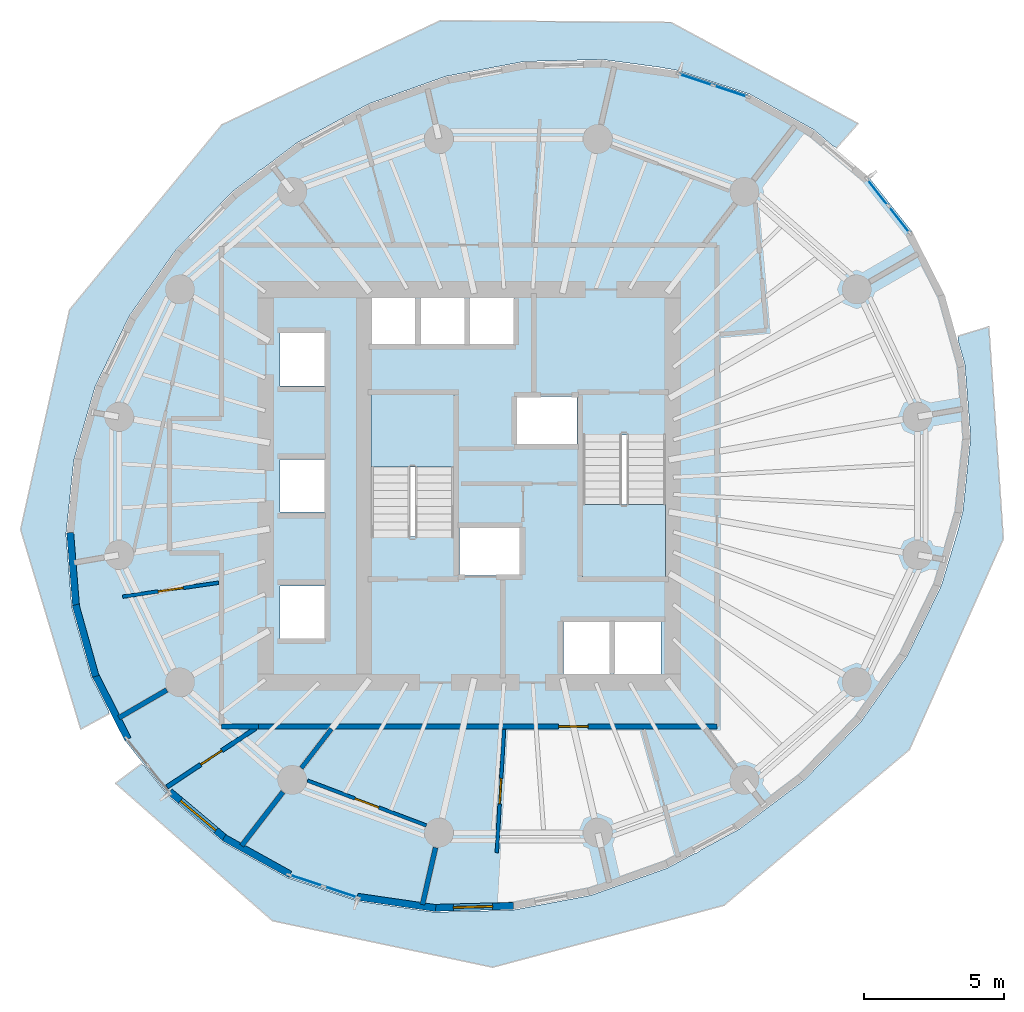
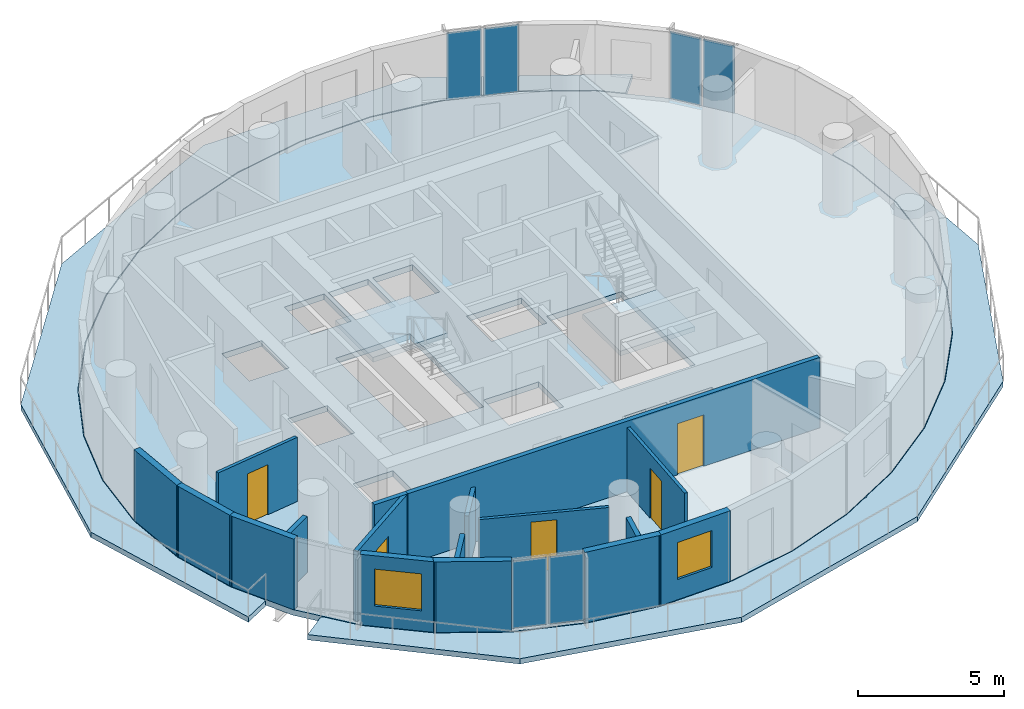
# One storey, part 4 of 12: 17 walls, 6 plates, 5 doors, 5 slabs, 2 windows, 7 openings, 5 elements without a shape of their own.
"""IFC4 building model written with IfcOpenShell, lengths in metres."""

from ifc_helpers import new_model, si_unit, direction, frame, frame_2d, origin, origin_2d, place, context, subcontext, project, spatial, polyline, rectangle, outline, extrude, material, layer, layer_set, type_object, element, fill, aggregate, save


model = new_model("IFC4")

# Units and contexts
model_context = context("Model", 3, precision=1e-05, world=origin(), true_north=direction((0.0, 1.0)))
body_context = subcontext(model_context, "Body", "Model", "MODEL_VIEW")
ifc_project = project(units=[si_unit("LENGTHUNIT", "METRE"), si_unit("AREAUNIT", "SQUARE_METRE"), si_unit("VOLUMEUNIT", "CUBIC_METRE"), si_unit("PLANEANGLEUNIT", "RADIAN"), si_unit("MASSUNIT", "GRAM", prefix="KILO")], contexts=[model_context])

# Site, building, storey
site_placement = place(None, origin())
site = spatial("IfcSite", under=ifc_project, at=site_placement, CompositionType="ELEMENT")
building_placement = place(site_placement, origin())
building = spatial("IfcBuilding", under=site, at=building_placement, Name="Veldorim Arch Residences", CompositionType="ELEMENT")
storey_placement = place(building_placement, frame((0.0, 0.0, 136.159912109375)))
storey = spatial("IfcBuildingStorey", under=building, at=storey_placement, Name="L40", CompositionType="ELEMENT", Elevation=136.159912109375)

# Slabs
ifc_material_1 = material(Name="Concrete C40/50", Category="concrete")
ifc_layer_1 = layer(ifc_material_1, 0.219970703125, Name="Planted Crescent Cantilever Balcony Slab 220")
ifc_layer_set_1 = layer_set([ifc_layer_1], Name="Concrete C40/50")
slab_type_1 = type_object("IfcSlabType", Name="Planted Crescent Cantilever Balcony Slab 220", PredefinedType="FLOOR", material=ifc_layer_set_1)
slab_1_placement = place(storey_placement, frame((0.0, 0.0, -0.219970703125)))
element("IfcSlab", 1, at=slab_1_placement, inside=storey, type_object=slab_type_1, Name="L40 planted crescent balcony slab A", PredefinedType="FLOOR", context=body_context, shape_type="SweptSolid", body=[
    extrude(outline(polyline([(43.224609375, 36.098388671875), (42.52392578125, 36.688720703125), (40.243896484375, 37.954345703125), (37.71337890625, 38.795654296875), (37.022216796875, 38.91650390625), (35.009765625, 39.1875), (32.21484375, 39.117919921875), (29.413330078125, 38.589111328125), (26.69091796875, 37.6171875), (24.12939453125, 36.231689453125), (22.8837890625, 35.289306640625), (22.747314453125, 35.2216796875), (22.661376953125, 35.12109375), (21.806884765625, 34.474609375), (19.794189453125, 32.3994140625), (18.152099609375, 30.069091796875), (16.9306640625, 27.55419921875), (16.166748046875, 24.93115234375), (15.884033203125, 22.279541015625), (16.09130859375, 19.68017578125), (16.78173828125, 17.2119140625), (17.385009765625, 16.02880859375), (17.418212890625, 15.88232421875), (16.408203125, 15.33251953125), (14.267333984375, 22.446533203125), (16.011962890625, 30.2744140625), (21.43603515625, 36.8623046875), (29.218505859375, 40.57470703125), (37.43896484375, 40.510498046875), (44.103271484375, 36.907958984375), (43.344482421875, 36.0439453125), (43.224609375, 36.098388671875)])), origin(), (0.0, 0.0, 1.0), 0.219970703125),
])
slab_2_placement = place(storey_placement, frame((0.0, 0.0, -0.219970703125)))
element("IfcSlab", 2, at=slab_2_placement, inside=storey, type_object=slab_type_1, Name="L40 planted crescent balcony slab B", PredefinedType="FLOOR", context=body_context, shape_type="SweptSolid", body=[
    extrude(outline(polyline([(18.689208984375, 14.001953125), (19.515869140625, 12.962646484375), (21.47607421875, 11.311279296875), (23.756103515625, 10.045654296875), (26.28662109375, 9.204345703125), (28.990234375, 8.8125), (31.78515625, 8.882080078125), (34.586669921875, 9.410888671875), (37.30908203125, 10.3828125), (38.25146484375, 10.892578125), (38.37890625, 10.928955078125), (38.4970703125, 11.025390625), (39.87060546875, 11.768310546875), (42.193115234375, 13.525390625), (44.205810546875, 15.6005859375), (45.847900390625, 17.930908203125), (47.0693359375, 20.44580078125), (47.656494140625, 22.3896484375), (47.833251953125, 23.06884765625), (48.115966796875, 25.720458984375), (47.90869140625, 28.31982421875), (47.662109375, 29.2021484375), (47.662109375, 29.333984375), (48.762939453125, 29.66650390625), (49.280029296875, 22.1083984375), (45.932373046875, 14.600341796875), (39.32861328125, 9.055908203125), (31.08544921875, 6.84912109375), (23.23828125, 8.505126953125), (17.65087890625, 13.4013671875), (18.569580078125, 14.0927734375), (18.689208984375, 14.001953125)])), origin(), (0.0, 0.0, 1.0), 0.219970703125),
])

# Stair, slab
ifc_material_2 = material(Name="Concrete C40/50", Category="concrete")
stair_type = type_object("IfcStairType", Name="Reinforced Concrete Dogleg Exit Staircase", PredefinedType="HALF_TURN_STAIR", material=ifc_material_2)
stair_1_placement = place(storey_placement, origin())
stair_1 = element("IfcStair", 3, at=stair_1_placement, inside=storey, type_object=stair_type, Name="L40 Exit Staircase ST-1", PredefinedType="HALF_TURN_STAIR")
ifc_material_3 = material(Name="Concrete C40/50", Category="concrete")
ifc_layer_2 = layer(ifc_material_3, 0.199951171875, Name="Reinforced Concrete Stair Landing 200")
ifc_layer_set_2 = layer_set([ifc_layer_2], Name="Concrete C40/50")
slab_type_2 = type_object("IfcSlabType", Name="Reinforced Concrete Stair Landing 200", PredefinedType="LANDING", material=ifc_layer_set_2)
slab_3_placement = place(storey_placement, frame((0.0, 0.0, 1.400146484375)))
slab_3 = element("IfcSlab", 4, at=slab_3_placement, type_object=slab_type_2, Name="ST-1 landing 1", PredefinedType="LANDING", context=body_context, shape_type="SweptSolid", body=[
    extrude(outline(polyline([(29.7099609375, 24.669921875), (29.7099609375, 27.25), (26.75, 27.25), (26.75, 24.669921875), (29.7099609375, 24.669921875)])), origin(), (0.0, 0.0, 1.0), 0.199951171875),
])
aggregate(stair_1, [slab_3])

stair_2_placement = place(storey_placement, origin())
stair_2 = element("IfcStair", 5, at=stair_2_placement, inside=storey, type_object=stair_type, Name="L40 Exit Staircase ST-2", PredefinedType="HALF_TURN_STAIR")
slab_4_placement = place(storey_placement, frame((0.0, 0.0, 1.400146484375)))
slab_4 = element("IfcSlab", 6, at=slab_4_placement, type_object=slab_type_2, Name="ST-2 landing 1", PredefinedType="LANDING", context=body_context, shape_type="SweptSolid", body=[
    extrude(outline(polyline([(34.2900390625, 23.330078125), (34.2900390625, 20.75), (37.25, 20.75), (37.25, 23.330078125), (34.2900390625, 23.330078125)])), origin(), (0.0, 0.0, 1.0), 0.199951171875),
])
aggregate(stair_2, [slab_4])

# Slab
ifc_material_4 = material(Name="Concrete C40/50", Category="concrete")
ifc_layer_3 = layer(ifc_material_4, 0.239990234375, Name="Typical Residential Floor Slab 240")
ifc_layer_set_3 = layer_set([ifc_layer_3], Name="Concrete C40/50")
slab_type_3 = type_object("IfcSlabType", Name="Typical Residential Floor Slab 240", PredefinedType="FLOOR", material=ifc_layer_set_3)
slab_5_placement = place(storey_placement, frame((0.0, 0.0, -0.239990234375)))
element("IfcSlab", 7, at=slab_5_placement, inside=storey, type_object=slab_type_3, Name="L40 tower structural floor slab", PredefinedType="FLOOR", context=body_context, shape_type="SweptSolid", body=[
    extrude(outline(polyline([(46.043701171875, 33.03662109375), (44.466064453125, 35.019775390625), (42.509521484375, 36.66796875), (40.233642578125, 37.931396484375), (37.707763671875, 38.771240234375), (35.00830078125, 39.16259765625), (32.217529296875, 39.093017578125), (29.419921875, 38.56494140625), (26.700927734375, 37.59423828125), (24.142822265625, 36.21044921875), (21.823486328125, 34.455810546875), (19.8134765625, 32.38330078125), (18.173583984375, 30.056396484375), (16.9541015625, 27.545166015625), (16.19140625, 24.92626953125), (15.9091796875, 22.279296875), (16.115966796875, 19.6845703125), (16.80517578125, 17.220947265625), (17.956298828125, 14.96337890625), (19.533935546875, 12.980224609375), (21.490478515625, 11.33203125), (23.766357421875, 10.068603515625), (26.292236328125, 9.228759765625), (28.99169921875, 8.83740234375), (31.782470703125, 8.906982421875), (34.580078125, 9.43505859375), (37.299072265625, 10.40576171875), (39.857177734375, 11.78955078125), (42.176513671875, 13.544189453125), (44.1865234375, 15.61669921875), (45.826416015625, 17.943603515625), (47.0458984375, 20.454833984375), (47.80859375, 23.07373046875), (48.0908203125, 25.720703125), (47.884033203125, 28.3154296875), (47.19482421875, 30.779052734375), (46.043701171875, 33.03662109375)]), holes=[polyline([(23.510009765625, 18.56005859375), (23.510009765625, 20.43994140625), (25.090087890625, 20.43994140625), (25.090087890625, 18.56005859375), (23.510009765625, 18.56005859375)]), polyline([(23.510009765625, 24.93994140625), (25.090087890625, 24.93994140625), (25.090087890625, 23.06005859375), (23.510009765625, 23.06005859375), (23.510009765625, 24.93994140625)]), polyline([(26.75, 27.25), (29.7099609375, 27.25), (29.7099609375, 22.195068359375), (26.75, 22.195068359375), (26.75, 27.25)]), polyline([(23.510009765625, 27.56005859375), (23.510009765625, 29.43994140625), (25.090087890625, 29.43994140625), (25.090087890625, 27.56005859375), (23.510009765625, 27.56005859375)]), polyline([(26.760009765625, 30.7900390625), (28.340087890625, 30.7900390625), (28.340087890625, 28.909912109375), (26.760009765625, 28.909912109375), (26.760009765625, 30.7900390625)]), polyline([(28.510009765625, 30.7900390625), (30.090087890625, 30.7900390625), (30.090087890625, 28.909912109375), (28.510009765625, 28.909912109375), (28.510009765625, 30.7900390625)]), polyline([(33.610107421875, 17.2099609375), (33.610107421875, 19.2900390625), (35.2900390625, 19.2900390625), (35.2900390625, 17.2099609375), (33.610107421875, 17.2099609375)]), polyline([(35.409912109375, 19.2900390625), (37.090087890625, 19.2900390625), (37.090087890625, 17.2099609375), (35.409912109375, 17.2099609375), (35.409912109375, 19.2900390625)]), polyline([(29.909912109375, 22.544921875), (32.090087890625, 22.544921875), (32.090087890625, 20.81494140625), (29.909912109375, 20.81494140625), (29.909912109375, 22.544921875)]), polyline([(34.2900390625, 20.75), (34.2900390625, 25.804931640625), (37.25, 25.804931640625), (37.25, 20.75), (34.2900390625, 20.75)]), polyline([(31.909912109375, 27.18505859375), (34.090087890625, 27.18505859375), (34.090087890625, 25.455078125), (31.909912109375, 25.455078125), (31.909912109375, 27.18505859375)]), polyline([(30.260009765625, 30.7900390625), (31.840087890625, 30.7900390625), (31.840087890625, 28.909912109375), (30.260009765625, 28.909912109375), (30.260009765625, 30.7900390625)])]), origin(), (0.0, 0.0, 1.0), 0.239990234375),
])

# Curtain wall, plates
ifc_material_5 = material(Name="Aluminium", Category="aluminium")
curtain_wall_type = type_object("IfcCurtainWallType", Name="Zone 3 High-Wind Unitised Curtain Wall", PredefinedType="NOTDEFINED", material=ifc_material_5)
curtain_wall_1_placement = place(storey_placement, origin())
curtain_wall_1 = element("IfcCurtainWall", 8, at=curtain_wall_1_placement, inside=storey, type_object=curtain_wall_type, Name="L40 unitised curtain wall bay 01", PredefinedType="NOTDEFINED")
ifc_material_6 = material(Name="Laminated Low-E Glass", Category="glass")
ifc_layer_4 = layer(ifc_material_6, 0.028076171875, Name="Zone 3 High-Wind Unitised Curtain Wall Glazing Panel 28")
ifc_layer_set_4 = layer_set([ifc_layer_4], Name="Laminated Low-E Glass")
plate_type = type_object("IfcPlateType", Name="Zone 3 High-Wind Unitised Curtain Wall Glazing Panel 28", PredefinedType="CURTAIN_PANEL", material=ifc_layer_set_4)
plate_1_placement = place(storey_placement, frame((44.801025390625, 34.454345703125, 0.06982421875), z_axis=(0.0, 0.0, 1.0), x_axis=(0.622580140716, -0.782556048079, 0.0)))
plate_1 = element("IfcPlate", 9, at=plate_1_placement, type_object=plate_type, Name="CW-Z3 panel 1.1", PredefinedType="CURTAIN_PANEL", context=body_context, shape_type="SweptSolid", body=[
    extrude(rectangle(XDim=1.162109375, YDim=0.028076171875, at=origin_2d()), origin(), (0.0, 0.0, 1.0), 2.820068359375),
])
plate_2_placement = place(storey_placement, frame((45.568115234375, 33.490234375, 0.06982421875), z_axis=(0.0, 0.0, 1.0), x_axis=(0.622580140716, -0.782556048079, 0.0)))
plate_2 = element("IfcPlate", 10, at=plate_2_placement, type_object=plate_type, Name="CW-Z3 panel 2.1", PredefinedType="CURTAIN_PANEL", context=body_context, shape_type="SweptSolid", body=[
    extrude(rectangle(XDim=1.162109375, YDim=0.028076171875, at=origin_2d()), origin(), (0.0, 0.0, 1.0), 2.820068359375),
])
aggregate(curtain_wall_1, [plate_1, plate_2])

curtain_wall_2_placement = place(storey_placement, origin())
curtain_wall_2 = element("IfcCurtainWall", 11, at=curtain_wall_2_placement, inside=storey, type_object=curtain_wall_type, Name="L40 unitised curtain wall bay 04", PredefinedType="NOTDEFINED")
plate_3_placement = place(storey_placement, frame((38.327392578125, 38.470458984375, 0.06982421875), z_axis=(0.0, 0.0, 1.0), x_axis=(0.948908451006, -0.315551503895, 0.0)))
plate_3 = element("IfcPlate", 12, at=plate_3_placement, type_object=plate_type, Name="CW-Z3 panel 1.1", PredefinedType="CURTAIN_PANEL", context=body_context, shape_type="SweptSolid", body=[
    extrude(rectangle(XDim=1.22607421875, YDim=0.028076171875, at=origin_2d()), origin(), (0.0, 0.0, 1.0), 2.820068359375),
])
plate_4_placement = place(storey_placement, frame((39.55712890625, 38.0615234375, 0.06982421875), z_axis=(0.0, 0.0, 1.0), x_axis=(0.948908451006, -0.315551503895, 0.0)))
plate_4 = element("IfcPlate", 13, at=plate_4_placement, type_object=plate_type, Name="CW-Z3 panel 2.1", PredefinedType="CURTAIN_PANEL", context=body_context, shape_type="SweptSolid", body=[
    extrude(rectangle(XDim=1.22607421875, YDim=0.028076171875, at=origin_2d()), origin(), (0.0, 0.0, 1.0), 2.820068359375),
])
aggregate(curtain_wall_2, [plate_3, plate_4])

curtain_wall_3_placement = place(storey_placement, origin())
curtain_wall_3 = element("IfcCurtainWall", 14, at=curtain_wall_3_placement, inside=storey, type_object=curtain_wall_type, Name="L40 unitised curtain wall bay 22", PredefinedType="NOTDEFINED")
plate_5_placement = place(storey_placement, frame((25.672607421875, 9.529541015625, 0.06982421875), z_axis=(0.0, 0.0, 1.0), x_axis=(-0.948908451006, 0.315551503895, 0.0)))
plate_5 = element("IfcPlate", 15, at=plate_5_placement, type_object=plate_type, Name="CW-Z3 panel 1.1", PredefinedType="CURTAIN_PANEL", context=body_context, shape_type="SweptSolid", body=[
    extrude(rectangle(XDim=1.22607421875, YDim=0.028076171875, at=origin_2d()), origin(), (0.0, 0.0, 1.0), 2.820068359375),
])
plate_6_placement = place(storey_placement, frame((24.44287109375, 9.9384765625, 0.06982421875), z_axis=(0.0, 0.0, 1.0), x_axis=(-0.948908451006, 0.315551503895, 0.0)))
plate_6 = element("IfcPlate", 16, at=plate_6_placement, type_object=plate_type, Name="CW-Z3 panel 2.1", PredefinedType="CURTAIN_PANEL", context=body_context, shape_type="SweptSolid", body=[
    extrude(rectangle(XDim=1.22607421875, YDim=0.028076171875, at=origin_2d()), origin(), (0.0, 0.0, 1.0), 2.820068359375),
])
aggregate(curtain_wall_3, [plate_5, plate_6])

# Wall, opening, door
ifc_material_7 = material(Name="Acoustic Gypsum Board", Category="gypsum")
ifc_layer_5 = layer(ifc_material_7, 0.125, Name="Acoustic Stud Room Partition Wall 125")
ifc_layer_set_5 = layer_set([ifc_layer_5], Name="Acoustic Gypsum Board")
wall_type_1 = type_object("IfcWallType", Name="Acoustic Stud Room Partition Wall 125", PredefinedType="PARTITIONING", material=ifc_layer_set_5)
wall_1_placement = place(storey_placement, frame((31.23095703125, 10.92724609375, 0.0), z_axis=(0.0, 0.0, 1.0), x_axis=(0.058751291398, 0.998272651012, 0.0)))
wall_1 = element("IfcWall", 17, at=wall_1_placement, inside=storey, type_object=wall_type_1, Name="L40 interior wall WL-RES-L40-012", PredefinedType="PARTITIONING", context=body_context, shape_type="SweptSolid", body=[
    extrude(rectangle(XDim=4.400634765625, YDim=0.125, at=frame_2d((2.2001953125, 0.0))), origin(), (0.0, 0.0, 1.0), 2.692138671875),
])
opening_1_placement = place(wall_1_placement, frame((1.750244140625, 0.0, 0.0)))
opening_1 = element("IfcOpeningElement", 18, at=opening_1_placement, cuts=wall_1, Name="Opening DR-INT", PredefinedType="OPENING", context=body_context, shape_type="SweptSolid", body=[
    extrude(rectangle(XDim=0.89990234375, YDim=2.10009765625, at=frame_2d((0.449951171875, 1.050048828125))), frame((0.0, 0.072509765625, 0.0), z_axis=(0.0, -1.0, 0.0), x_axis=(1.0, 0.0, 0.0)), (0.0, 0.0, 1.0), 0.14501953125),
])
ifc_material_8 = material(Name="Engineered Timber", Category="wood")
door_type_1 = type_object("IfcDoorType", Name="Apartment Internal Room Timber Door 900x2100", OperationType="SINGLE_SWING_LEFT", PredefinedType="DOOR", material=ifc_material_8)
door_1_placement = place(opening_1_placement, origin())
door_1 = element("IfcDoor", 19, at=door_1_placement, inside=storey, type_object=door_type_1, Name="L40 interior door DR-RES-L40-003", OperationType="SINGLE_SWING_LEFT", OverallHeight=2.10009765625, OverallWidth=0.89990234375, PredefinedType="DOOR", context=body_context, shape_type="SweptSolid", body=[
    extrude(rectangle(XDim=0.89990234375, YDim=2.10009765625, at=frame_2d((0.449951171875, 1.050048828125))), frame((0.0, 0.02490234375, 0.0), z_axis=(0.0, -1.0, 0.0), x_axis=(1.0, 0.0, 0.0)), (0.0, 0.0, 1.0), 0.050048828125),
])
fill(opening_1, door_1)

wall_2_placement = place(storey_placement, frame((28.7216796875, 11.89697265625, 0.0), z_axis=(0.0, 0.0, 1.0), x_axis=(-0.935309901838, 0.353829602385, 0.0)))
wall_2 = element("IfcWall", 20, at=wall_2_placement, inside=storey, type_object=wall_type_1, Name="L40 interior wall WL-RES-L40-014", PredefinedType="PARTITIONING", context=body_context, shape_type="SweptSolid", body=[
    extrude(rectangle(XDim=4.525634765625, YDim=0.125, at=frame_2d((2.2626953125, 0.0))), origin(), (0.0, 0.0, 1.0), 2.411376953125),
])
opening_2_placement = place(wall_2_placement, frame((1.81298828125, 0.0, 0.0)))
opening_2 = element("IfcOpeningElement", 21, at=opening_2_placement, cuts=wall_2, Name="Opening DR-INT", PredefinedType="OPENING", context=body_context, shape_type="SweptSolid", body=[
    extrude(rectangle(XDim=0.89990234375, YDim=2.10009765625, at=frame_2d((0.449951171875, 1.050048828125))), frame((0.0, 0.072509765625, 0.0), z_axis=(0.0, -1.0, 0.0), x_axis=(1.0, 0.0, 0.0)), (0.0, 0.0, 1.0), 0.14501953125),
])
door_2_placement = place(opening_2_placement, origin())
door_2 = element("IfcDoor", 22, at=door_2_placement, inside=storey, type_object=door_type_1, Name="L40 interior door DR-RES-L40-004", OperationType="SINGLE_SWING_RIGHT", OverallHeight=2.10009765625, OverallWidth=0.89990234375, PredefinedType="DOOR", context=body_context, shape_type="SweptSolid", body=[
    extrude(rectangle(XDim=0.89990234375, YDim=2.10009765625, at=frame_2d((0.449951171875, 1.050048828125))), frame((0.0, 0.02490234375, 0.0), z_axis=(0.0, -1.0, 0.0), x_axis=(1.0, 0.0, 0.0)), (0.0, 0.0, 1.0), 0.050048828125),
])
fill(opening_2, door_2)

wall_3_placement = place(storey_placement, frame((17.8994140625, 20.0517578125, 0.0), z_axis=(0.0, 0.0, 1.0), x_axis=(0.989601977359, 0.143832980941, 0.0)))
wall_3 = element("IfcWall", 23, at=wall_3_placement, inside=storey, type_object=wall_type_1, Name="L40 interior wall WL-RES-L40-024", PredefinedType="PARTITIONING", context=body_context, shape_type="SweptSolid", body=[
    extrude(rectangle(XDim=3.45751953125, YDim=0.125, at=frame_2d((1.728759765625, 0.0))), origin(), (0.0, 0.0, 1.0), 2.692138671875),
])
opening_3_placement = place(wall_3_placement, frame((1.27880859375, 0.0, 0.0)))
opening_3 = element("IfcOpeningElement", 24, at=opening_3_placement, cuts=wall_3, Name="Opening DR-INT", PredefinedType="OPENING", context=body_context, shape_type="SweptSolid", body=[
    extrude(rectangle(XDim=0.89990234375, YDim=2.10009765625, at=frame_2d((0.449951171875, 1.050048828125))), frame((0.0, 0.072509765625, 0.0), z_axis=(0.0, -1.0, 0.0), x_axis=(1.0, 0.0, 0.0)), (0.0, 0.0, 1.0), 0.14501953125),
])
door_3_placement = place(opening_3_placement, origin())
door_3 = element("IfcDoor", 25, at=door_3_placement, inside=storey, type_object=door_type_1, Name="L40 interior door DR-RES-L40-013", OperationType="SINGLE_SWING_LEFT", OverallHeight=2.10009765625, OverallWidth=0.89990234375, PredefinedType="DOOR", context=body_context, shape_type="SweptSolid", body=[
    extrude(rectangle(XDim=0.89990234375, YDim=2.10009765625, at=frame_2d((0.449951171875, 1.050048828125))), frame((0.0, 0.02490234375, 0.0), z_axis=(0.0, -1.0, 0.0), x_axis=(1.0, 0.0, 0.0)), (0.0, 0.0, 1.0), 0.050048828125),
])
fill(opening_3, door_3)

# Walls
ifc_material_9 = material(Name="Lightweight Masonry Block & Gypsum", Category="masonry")
ifc_layer_6 = layer(ifc_material_9, 0.179931640625, Name="Compartment & Corridor Fire-Rated Party Wall 180")
ifc_layer_set_6 = layer_set([ifc_layer_6], Name="Lightweight Masonry Block & Gypsum")
wall_type_2 = type_object("IfcWallType", Name="Compartment & Corridor Fire-Rated Party Wall 180", PredefinedType="PARTITIONING", material=ifc_layer_set_6)
wall_4_placement = place(storey_placement, frame((19.472412109375, 16.72607421875, 0.0), z_axis=(0.0, 0.0, 1.0), x_axis=(-0.864844369658, -0.502040054448, 0.0)))
element("IfcWall", 26, at=wall_4_placement, inside=storey, type_object=wall_type_2, Name="L40 interior wall WL-PIER-L40-10", PredefinedType="PARTITIONING", context=body_context, shape_type="SweptSolid", body=[
    extrude(rectangle(XDim=1.974365234375, YDim=0.179931640625, at=frame_2d((0.9873046875, 0.0))), origin(), (0.0, 0.0, 1.0), 2.3359375),
])
wall_5_placement = place(storey_placement, frame((23.612060546875, 13.091552734375, 0.0), z_axis=(0.0, 0.0, 1.0), x_axis=(-0.609549509747, -0.79274800231, 0.0)))
element("IfcWall", 27, at=wall_5_placement, inside=storey, type_object=wall_type_2, Name="L40 interior wall WL-PIER-L40-11", PredefinedType="PARTITIONING", context=body_context, shape_type="SweptSolid", body=[
    extrude(rectangle(XDim=2.414794921875, YDim=0.179931640625, at=frame_2d((1.20751953125, 0.0))), origin(), (0.0, 0.0, 1.0), 2.3359375),
])
wall_6_placement = place(storey_placement, frame((29.049560546875, 11.11083984375, 0.0), z_axis=(0.0, 0.0, 1.0), x_axis=(-0.223063251486, -0.974803973031, 0.0)))
element("IfcWall", 28, at=wall_6_placement, inside=storey, type_object=wall_type_2, Name="L40 interior wall WL-PIER-L40-12", PredefinedType="PARTITIONING", context=body_context, shape_type="SweptSolid", body=[
    extrude(rectangle(XDim=2.0849609375, YDim=0.179931640625, at=frame_2d((1.04248046875, 0.0))), origin(), (0.0, 0.0, 1.0), 2.3359375),
])

# Wall, opening, door
wall_7_placement = place(storey_placement, frame((39.080078125, 15.419921875, 0.0), z_axis=(0.0, 0.0, 1.0), x_axis=(-1.0, 0.0, 0.0)))
wall_7 = element("IfcWall", 29, at=wall_7_placement, inside=storey, type_object=wall_type_2, Name="L40 interior wall WL-RES-L40-001", PredefinedType="PARTITIONING", context=body_context, shape_type="SweptSolid", body=[
    extrude(rectangle(XDim=16.39013671875, YDim=0.179931640625, at=frame_2d((8.195068359375, 0.0))), origin(), (0.0, 0.0, 1.0), 2.955078125),
])
opening_4_placement = place(wall_7_placement, frame((4.5927734375, 0.0, 0.0)))
opening_4 = element("IfcOpeningElement", 30, at=opening_4_placement, cuts=wall_7, Name="Opening DR-FLT", PredefinedType="OPENING", context=body_context, shape_type="SweptSolid", body=[
    extrude(rectangle(XDim=1.050048828125, YDim=2.14990234375, at=frame_2d((0.52490234375, 1.074951171875))), frame((0.0, 0.099853515625, 0.0), z_axis=(0.0, -1.0, 0.0), x_axis=(1.0, 0.0, 0.0)), (0.0, 0.0, 1.0), 0.199951171875),
])
ifc_material_10 = material(Name="Fire-Rated Timber", Category="wood")
door_type_2 = type_object("IfcDoorType", Name="Apartment Entrance Solid-Core Fire Door 1050x2150", OperationType="SINGLE_SWING_LEFT", PredefinedType="DOOR", material=ifc_material_10)
door_4_placement = place(opening_4_placement, origin())
door_4 = element("IfcDoor", 31, at=door_4_placement, inside=storey, type_object=door_type_2, Name="L40 interior door DR-RES-L40-001", OperationType="SINGLE_SWING_LEFT", OverallHeight=2.14990234375, OverallWidth=1.050048828125, PredefinedType="DOOR", context=body_context, shape_type="SweptSolid", body=[
    extrude(rectangle(XDim=1.050048828125, YDim=2.14990234375, at=frame_2d((0.52490234375, 1.074951171875))), frame((0.0, 0.02490234375, 0.0), z_axis=(0.0, -1.0, 0.0), x_axis=(1.0, 0.0, 0.0)), (0.0, 0.0, 1.0), 0.050048828125),
])
fill(opening_4, door_4)

# Walls
wall_8_placement = place(storey_placement, frame((22.74609375, 15.419921875, 0.0), z_axis=(0.0, 0.0, 1.0), x_axis=(-1.0, 0.0, 0.0)))
element("IfcWall", 32, at=wall_8_placement, inside=storey, type_object=wall_type_2, Name="L40 interior wall WL-RES-L40-005", PredefinedType="PARTITIONING", context=body_context, shape_type="SweptSolid", body=[
    extrude(rectangle(XDim=1.326171875, YDim=0.179931640625, at=frame_2d((0.6630859375, 0.0))), origin(), (0.0, 0.0, 1.0), 2.955078125),
])
ifc_material_11 = material(Name="Precast concrete C40/50", Category="concrete")
ifc_layer_7 = layer(ifc_material_11, 0.25, Name="Tower Terracotta Spandrel & Pier Wall 250")
ifc_layer_set_7 = layer_set([ifc_layer_7], Name="Precast concrete C40/50")
wall_type_3 = type_object("IfcWallType", Name="Tower Terracotta Spandrel & Pier Wall 250", PredefinedType="SOLIDWALL", material=ifc_layer_set_7)
wall_9_placement = place(storey_placement, frame((16.244140625, 19.649658203125, 0.0), z_axis=(0.0, 0.0, 1.0), x_axis=(-0.079420906371, 0.996841170714, 0.0)))
element("IfcWall", 33, at=wall_9_placement, inside=storey, type_object=wall_type_3, Name="L40 terracotta facade wall 16", PredefinedType="SOLIDWALL", context=body_context, shape_type="SweptSolid", body=[
    extrude(rectangle(XDim=2.69287109375, YDim=0.25, at=frame_2d((1.346435546875, 0.0))), origin(), (0.0, 0.0, 1.0), 2.960205078125),
])
wall_10_placement = place(storey_placement, frame((16.937744140625, 17.211181640625, 0.0), z_axis=(0.0, 0.0, 1.0), x_axis=(-0.269469206067, 0.963009006698, 0.0)))
element("IfcWall", 34, at=wall_10_placement, inside=storey, type_object=wall_type_3, Name="L40 terracotta facade wall 17", PredefinedType="SOLIDWALL", context=body_context, shape_type="SweptSolid", body=[
    extrude(rectangle(XDim=2.648193359375, YDim=0.25, at=frame_2d((1.32421875, 0.0))), origin(), (0.0, 0.0, 1.0), 2.960205078125),
])
wall_11_placement = place(storey_placement, frame((18.087890625, 14.97998046875, 0.0), z_axis=(0.0, 0.0, 1.0), x_axis=(-0.454196134835, 0.890901717981, 0.0)))
element("IfcWall", 35, at=wall_11_placement, inside=storey, type_object=wall_type_3, Name="L40 terracotta facade wall 18", PredefinedType="SOLIDWALL", context=body_context, shape_type="SweptSolid", body=[
    extrude(rectangle(XDim=2.624267578125, YDim=0.25, at=frame_2d((1.31201171875, 0.0))), origin(), (0.0, 0.0, 1.0), 2.960205078125),
])

# Wall, opening, window
wall_12_placement = place(storey_placement, frame((21.60546875, 11.398681640625, 0.0), z_axis=(0.0, 0.0, 1.0), x_axis=(-0.764825125467, 0.644237943197, 0.0)))
wall_12 = element("IfcWall", 36, at=wall_12_placement, inside=storey, type_object=wall_type_3, Name="L40 terracotta facade wall 20", PredefinedType="SOLIDWALL", context=body_context, shape_type="SweptSolid", body=[
    extrude(rectangle(XDim=2.648193359375, YDim=0.25, at=frame_2d((1.32421875, 0.0))), origin(), (0.0, 0.0, 1.0), 2.960205078125),
])
opening_5_placement = place(wall_12_placement, frame((0.4990234375, 0.0, 0.85009765625)))
opening_5 = element("IfcOpeningElement", 37, at=opening_5_placement, cuts=wall_12, Name="Opening WN-03", PredefinedType="OPENING", context=body_context, shape_type="SweptSolid", body=[
    extrude(rectangle(XDim=1.64990234375, YDim=1.550048828125, at=frame_2d((0.824951171875, 0.77490234375))), frame((0.0, 0.135009765625, 0.0), z_axis=(0.0, -1.0, 0.0), x_axis=(1.0, 0.0, 0.0)), (0.0, 0.0, 1.0), 0.27001953125),
])
ifc_material_12 = material(Name="Laminated Low-E Glass", Category="glass")
window_type_1 = type_object("IfcWindowType", Name="Residential Wide Window 1650x1550", PartitioningType="SINGLE_PANEL", PredefinedType="WINDOW", material=ifc_material_12)
window_1_placement = place(opening_5_placement, origin())
window_1 = element("IfcWindow", 38, at=window_1_placement, inside=storey, type_object=window_type_1, Name="L40 solar-control facade window 20", OverallHeight=1.550048828125, OverallWidth=1.64990234375, PartitioningType="SINGLE_PANEL", PredefinedType="WINDOW", context=body_context, shape_type="SweptSolid", body=[
    extrude(rectangle(XDim=1.64990234375, YDim=1.550048828125, at=frame_2d((0.824951171875, 0.77490234375))), frame((0.0, 0.030029296875, 0.0), z_axis=(0.0, -1.0, 0.0), x_axis=(1.0, 0.0, 0.0)), (0.0, 0.0, 1.0), 0.06005859375),
])
fill(opening_5, window_1)

# Walls
wall_13_placement = place(storey_placement, frame((23.8662109375, 10.15625, 0.0), z_axis=(0.0, 0.0, 1.0), x_axis=(-0.874341102682, 0.485311895755, 0.0)))
element("IfcWall", 39, at=wall_13_placement, inside=storey, type_object=wall_type_3, Name="L40 terracotta facade wall 21", PredefinedType="SOLIDWALL", context=body_context, shape_type="SweptSolid", body=[
    extrude(rectangle(XDim=2.69287109375, YDim=0.25, at=frame_2d((1.346435546875, 0.0))), origin(), (0.0, 0.0, 1.0), 2.960205078125),
])
wall_14_placement = place(storey_placement, frame((29.05419921875, 8.954833984375, 0.0), z_axis=(0.0, 0.0, 1.0), x_axis=(-0.98966505468, 0.143398324768, 0.0)))
element("IfcWall", 40, at=wall_14_placement, inside=storey, type_object=wall_type_3, Name="L40 terracotta facade wall 23", PredefinedType="SOLIDWALL", context=body_context, shape_type="SweptSolid", body=[
    extrude(rectangle(XDim=2.817626953125, YDim=0.25, at=frame_2d((1.40869140625, 0.0))), origin(), (0.0, 0.0, 1.0), 2.960205078125),
])

# Wall, opening, window
wall_15_placement = place(storey_placement, frame((31.824462890625, 9.033203125, 0.0), z_axis=(0.0, 0.0, 1.0), x_axis=(-0.999687646408, -0.02499219116, 0.0)))
wall_15 = element("IfcWall", 41, at=wall_15_placement, inside=storey, type_object=wall_type_3, Name="L40 terracotta facade wall 24", PredefinedType="SOLIDWALL", context=body_context, shape_type="SweptSolid", body=[
    extrude(rectangle(XDim=2.8818359375, YDim=0.25, at=frame_2d((1.44091796875, 0.0))), origin(), (0.0, 0.0, 1.0), 2.960205078125),
])
opening_6_placement = place(wall_15_placement, frame((0.740966796875, 0.0, 0.85009765625)))
opening_6 = element("IfcOpeningElement", 42, at=opening_6_placement, cuts=wall_15, Name="Opening WN-02", PredefinedType="OPENING", context=body_context, shape_type="SweptSolid", body=[
    extrude(rectangle(XDim=1.39990234375, YDim=1.550048828125, at=frame_2d((0.699951171875, 0.77490234375))), frame((0.0, 0.135009765625, 0.0), z_axis=(0.0, -1.0, 0.0), x_axis=(1.0, 0.0, 0.0)), (0.0, 0.0, 1.0), 0.27001953125),
])
ifc_material_13 = material(Name="Laminated Low-E Glass", Category="glass")
window_type_2 = type_object("IfcWindowType", Name="Residential Casement Window 1400x1550", PartitioningType="SINGLE_PANEL", PredefinedType="WINDOW", material=ifc_material_13)
window_2_placement = place(opening_6_placement, origin())
window_2 = element("IfcWindow", 43, at=window_2_placement, inside=storey, type_object=window_type_2, Name="L40 solar-control facade window 24", OverallHeight=1.550048828125, OverallWidth=1.39990234375, PartitioningType="SINGLE_PANEL", PredefinedType="WINDOW", context=body_context, shape_type="SweptSolid", body=[
    extrude(rectangle(XDim=1.39990234375, YDim=1.550048828125, at=frame_2d((0.699951171875, 0.77490234375))), frame((0.0, 0.030029296875, 0.0), z_axis=(0.0, -1.0, 0.0), x_axis=(1.0, 0.0, 0.0)), (0.0, 0.0, 1.0), 0.06005859375),
])
fill(opening_6, window_2)

# Wall
ifc_material_14 = material(Name="Moisture-Resistant Gypsum & Stud", Category="gypsum")
ifc_layer_8 = layer(ifc_material_14, 0.159912109375, Name="Wet-Area Moisture-Resistant Plumbing Wall 160")
ifc_layer_set_8 = layer_set([ifc_layer_8], Name="Moisture-Resistant Gypsum & Stud")
wall_type_4 = type_object("IfcWallType", Name="Wet-Area Moisture-Resistant Plumbing Wall 160", PredefinedType="PLUMBINGWALL", material=ifc_layer_set_8)
wall_16_placement = place(storey_placement, frame((24.267822265625, 13.9443359375, 0.0), z_axis=(0.0, 0.0, 1.0), x_axis=(0.609536601946, 0.792757927042, 0.0)))
element("IfcWall", 44, at=wall_16_placement, inside=storey, type_object=wall_type_4, Name="L40 interior wall WL-RES-L40-015", PredefinedType="PLUMBINGWALL", context=body_context, shape_type="SweptSolid", body=[
    extrude(rectangle(XDim=1.761474609375, YDim=0.159912109375, at=frame_2d((0.880859375, 0.0))), origin(), (0.0, 0.0, 1.0), 2.3359375),
])

# Wall, opening, door
wall_17_placement = place(storey_placement, frame((22.642822265625, 15.36474609375, 0.0), z_axis=(0.0, 0.0, 1.0), x_axis=(-0.83413433024, -0.551561346647, 0.0)))
wall_17 = element("IfcWall", 45, at=wall_17_placement, inside=storey, type_object=wall_type_4, Name="L40 interior wall WL-RES-L40-023", PredefinedType="PLUMBINGWALL", context=body_context, shape_type="SweptSolid", body=[
    extrude(rectangle(XDim=3.7919921875, YDim=0.159912109375, at=frame_2d((1.89599609375, 0.0))), origin(), (0.0, 0.0, 1.0), 2.955078125),
])
opening_7_placement = place(wall_17_placement, frame((1.446044921875, 0.0, 0.0)))
opening_7 = element("IfcOpeningElement", 46, at=opening_7_placement, cuts=wall_17, Name="Opening DR-WC", PredefinedType="OPENING", context=body_context, shape_type="SweptSolid", body=[
    extrude(rectangle(XDim=0.89990234375, YDim=2.10009765625, at=frame_2d((0.449951171875, 1.050048828125))), frame((0.0, 0.08984375, 0.0), z_axis=(0.0, -1.0, 0.0), x_axis=(1.0, 0.0, 0.0)), (0.0, 0.0, 1.0), 0.179931640625),
])
ifc_material_15 = material(Name="Laminate Timber", Category="wood")
door_type_3 = type_object("IfcDoorType", Name="Bathroom & Accessible WC Moisture-Sealed Door 900x2100", OperationType="SINGLE_SWING_LEFT", PredefinedType="DOOR", material=ifc_material_15)
door_5_placement = place(opening_7_placement, origin())
door_5 = element("IfcDoor", 47, at=door_5_placement, inside=storey, type_object=door_type_3, Name="L40 interior door DR-RES-L40-012", OperationType="SINGLE_SWING_RIGHT", OverallHeight=2.10009765625, OverallWidth=0.89990234375, PredefinedType="DOOR", context=body_context, shape_type="SweptSolid", body=[
    extrude(rectangle(XDim=0.89990234375, YDim=2.10009765625, at=frame_2d((0.449951171875, 1.050048828125))), frame((0.0, 0.02490234375, 0.0), z_axis=(0.0, -1.0, 0.0), x_axis=(1.0, 0.0, 0.0)), (0.0, 0.0, 1.0), 0.050048828125),
])
fill(opening_7, door_5)

save(model, "model.ifc")
